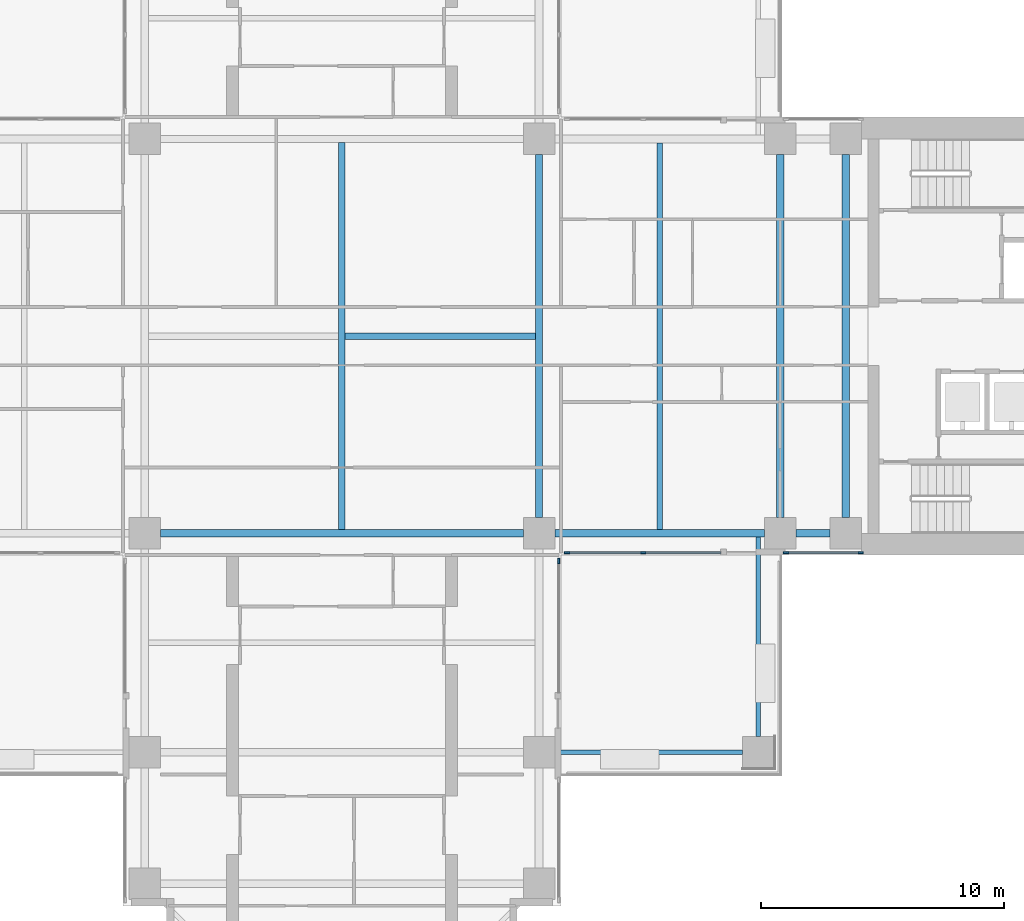
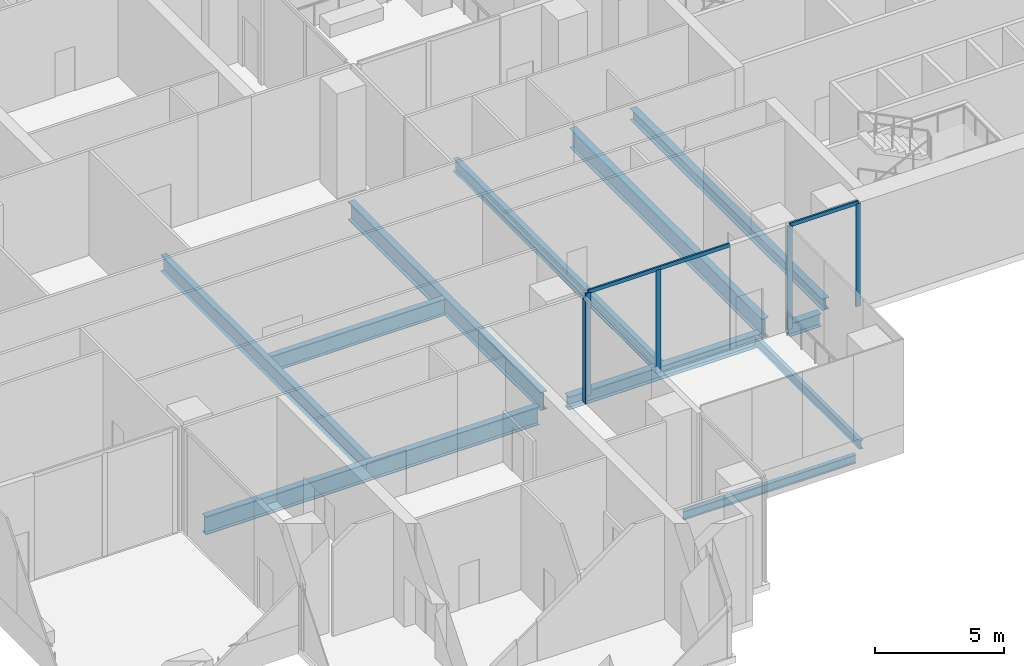
# One storey, part 3 of 17: 11 beams, 7 members, 3 elements without a shape of their own.
"""IFC4 building model written with IfcOpenShell, lengths in metres."""

import ifcopenshell
import ifcopenshell.guid

model = None  # the IFC model being written
_history = None  # IfcOwnerHistory: only IFC2X3 demands one
_inside = {}  # id of a spatial element -> (the spatial element, [elements in it])
_under = {}  # id of a project, library or spatial element -> (it, [spatial elements below it])
_declared = {}  # id of a project -> (the project, [libraries it declares])
_typed = {}  # id of a type object -> (the type object, [elements of that type])
_made_of = {}  # id of a material, layer set ... -> (it, [elements and type objects made of it])


def new_model(schema):
    """Start an empty IFC model of exactly this schema.

    Asked for "IFC4X3", IfcOpenShell would pick the latest addendum, in which some entities
    have other attributes; the version numbers below select the first issue.
    IFC2X3 requires an IfcOwnerHistory on every rooted entity: one is made here for all.
    """
    global model, _history
    if schema == "IFC4X3":
        model = ifcopenshell.file(schema_version=(4, 3, 0, 0))
    else:
        model = ifcopenshell.file(schema=schema)
    _inside.clear()
    _under.clear()
    _declared.clear()
    _typed.clear()
    _made_of.clear()
    _history = None
    if model.schema == "IFC2X3":
        org = make("IfcOrganization", Name="unknown")
        user = make(
            "IfcPersonAndOrganization",
            ThePerson=make("IfcPerson", FamilyName="unknown"),
            TheOrganization=org,
        )
        app = make(
            "IfcApplication",
            ApplicationDeveloper=org,
            Version="unknown",
            ApplicationFullName="unknown",
            ApplicationIdentifier="unknown",
        )
        _history = make(
            "IfcOwnerHistory",
            OwningUser=user,
            OwningApplication=app,
            ChangeAction="ADDED",
            CreationDate=0,
        )
    return model


def make(cls, **values):
    """One entity of the class cls with the attributes given. An attribute that is None is left unset."""
    return model.create_entity(
        cls, **{name: value for name, value in values.items() if value is not None}
    )


def rooted(cls, **values):
    """An entity with a GlobalId (a new one), such as an element, a storey or a relation."""
    return make(cls, GlobalId=ifcopenshell.guid.new(), OwnerHistory=_history, **values)


def si_unit(unit_type, name, prefix=None):
    """IfcSIUnit, for example si_unit("LENGTHUNIT", "METRE", prefix="MILLI")."""
    return make("IfcSIUnit", UnitType=unit_type, Prefix=prefix, Name=name)


def assignment(units):
    """IfcUnitAssignment: the units of a project."""
    return None if units is None else make("IfcUnitAssignment", Units=units)


def point(xyz):
    """IfcCartesianPoint."""
    return None if xyz is None else make("IfcCartesianPoint", Coordinates=xyz)


def direction(xyz):
    """IfcDirection."""
    return None if xyz is None else make("IfcDirection", DirectionRatios=xyz)


def frame(location, z_axis=None, x_axis=None):
    """IfcAxis2Placement3D, a coordinate frame: its origin and axes. An axis left out is left unset."""
    return make(
        "IfcAxis2Placement3D",
        Location=point(location),
        Axis=direction(z_axis),
        RefDirection=direction(x_axis),
    )


def frame_2d(location, x_axis=None):
    """IfcAxis2Placement2D, a coordinate frame in the plane: its origin and x axis."""
    return make(
        "IfcAxis2Placement2D", Location=point(location), RefDirection=direction(x_axis)
    )


def origin():
    """The frame at (0, 0, 0) with its axes left unset."""
    return frame((0.0, 0.0, 0.0))


def origin_2d():
    """The frame at (0, 0) in the plane with its x axis left unset."""
    return frame_2d((0.0, 0.0))


def place(relative_to, where):
    """IfcLocalPlacement: puts the frame where relative to a parent placement (None: the world)."""
    return make(
        "IfcLocalPlacement", PlacementRelTo=relative_to, RelativePlacement=where
    )


def context(
    kind, dimensions, precision=None, world=None, true_north=None, identifier=None
):
    """IfcGeometricRepresentationContext, for example the 3D "Model" context."""
    return make(
        "IfcGeometricRepresentationContext",
        ContextIdentifier=identifier,
        ContextType=kind,
        CoordinateSpaceDimension=dimensions,
        Precision=precision,
        WorldCoordinateSystem=world,
        TrueNorth=true_north,
    )


def subcontext(parent, identifier, kind, view, scale=None):
    """IfcGeometricRepresentationSubContext, for example "Body" below "Model"."""
    return make(
        "IfcGeometricRepresentationSubContext",
        ContextIdentifier=identifier,
        ContextType=kind,
        ParentContext=parent,
        TargetScale=scale,
        TargetView=view,
    )


def project(units=None, contexts=None):
    """IfcProject with its units and contexts."""
    return rooted(
        "IfcProject",
        Name="project",
        RepresentationContexts=contexts,
        UnitsInContext=assignment(units),
    )


def spatial(cls, under=None, at=None, **own):
    """A site, building, storey or space (cls), placed at a placement, below another one or the project."""
    s = rooted(cls, ObjectPlacement=at, **own)
    if under is not None:
        _under.setdefault(under.id(), (under, []))[1].append(s)
    return s


def profile(cls, at=None, kind="AREA", **sizes):
    """A parametric profile (cls). Its sizes go by their IFC names, for example OverallWidth=200.0."""
    return make(cls, ProfileType=kind, Position=at, **sizes)


def rectangle(**sizes):
    """IfcRectangleProfileDef."""
    return profile("IfcRectangleProfileDef", **sizes)


def i_section(**sizes):
    """IfcIShapeProfileDef."""
    return profile("IfcIShapeProfileDef", **sizes)


def extrude(swept, where, along, depth):
    """IfcExtrudedAreaSolid: the profile swept, set in the frame where, extruded along a direction by depth."""
    return make(
        "IfcExtrudedAreaSolid",
        SweptArea=swept,
        Position=where,
        ExtrudedDirection=direction(along),
        Depth=depth,
    )


def shape(context_of_items, identifier, shape_type, items):
    """IfcShapeRepresentation: the items that make up one representation, for example the "Body"."""
    return make(
        "IfcShapeRepresentation",
        ContextOfItems=context_of_items,
        RepresentationIdentifier=identifier,
        RepresentationType=shape_type,
        Items=items,
    )


def material(Name=None, Category=None):
    """IfcMaterial."""
    return make("IfcMaterial", Name=Name, Category=Category)


def material_profile(
    of_material, cross_section, Name=None, Category=None, Priority=None
):
    """IfcMaterialProfile: a cross section and its material."""
    return make(
        "IfcMaterialProfile",
        Name=Name,
        Material=of_material,
        Profile=cross_section,
        Priority=Priority,
        Category=Category,
    )


def profile_set(profiles, Name=None, composite=None):
    """IfcMaterialProfileSet."""
    return make(
        "IfcMaterialProfileSet",
        Name=Name,
        MaterialProfiles=profiles,
        CompositeProfile=composite,
    )


def made_of(thing, what):
    """Note that an element or type object is made of a material, layer set ...; save() writes the relation."""
    if what is not None:
        _made_of.setdefault(what.id(), (what, []))[1].append(thing)
    return thing


def type_object(cls, material=None, **own):
    """A type object (cls), such as IfcWallType, which elements share."""
    return made_of(rooted(cls, **own), material)


def element(
    cls,
    number,
    at=None,
    inside=None,
    cuts=None,
    type_object=None,
    material=None,
    context=None,
    identifier="Body",
    shape_type=None,
    held_by="IfcProductDefinitionShape",
    body=None,
    shapes=None,
    **own,
):
    """One element of the class cls, such as IfcWall. Its Tag is "e" and its number.

    at: its placement. inside: the storey or other place that contains it. cuts: it is an
    opening in that element (IfcRelVoidsElement). A single representation is given by context,
    identifier, shape_type and body (its items); several are given by shapes. held_by: the class
    of the entity that holds the representations. save() writes the other relations.
    """
    e = rooted(cls, Tag="e%d" % number, ObjectPlacement=at, **own)
    if body is not None:
        shapes = [shape(context, identifier, shape_type, body)]
    if shapes is not None:
        e.Representation = make(held_by, Representations=shapes)
    if inside is not None:
        _inside.setdefault(inside.id(), (inside, []))[1].append(e)
    if cuts is not None:
        rooted(
            "IfcRelVoidsElement", RelatingBuildingElement=cuts, RelatedOpeningElement=e
        )
    if type_object is not None:
        _typed.setdefault(type_object.id(), (type_object, []))[1].append(e)
    return made_of(e, material)


def aggregate(whole, parts):
    """IfcRelAggregates: a whole, such as a stair, and the parts it consists of."""
    return rooted("IfcRelAggregates", RelatingObject=whole, RelatedObjects=parts)


def save(model, path):
    """Write the relations noted so far, then the file.

    IfcRelAggregates (storeys below a building ...), IfcRelContainedInSpatialStructure (elements
    in a storey), IfcRelDefinesByType, IfcRelAssociatesMaterial and IfcRelDeclares: one each for
    every whole, place, type object, material and project.
    """
    for whole, parts in _under.values():
        aggregate(whole, parts)
    for where, things in _inside.values():
        rooted(
            "IfcRelContainedInSpatialStructure",
            RelatedElements=things,
            RelatingStructure=where,
        )
    for kind, things in _typed.values():
        rooted("IfcRelDefinesByType", RelatedObjects=things, RelatingType=kind)
    for what, things in _made_of.values():
        rooted("IfcRelAssociatesMaterial", RelatedObjects=things, RelatingMaterial=what)
    for by, libraries in _declared.values():
        rooted("IfcRelDeclares", RelatingContext=by, RelatedDefinitions=libraries)
    model.write(path)


model = new_model("IFC4")

# Units and contexts
model_context = context("Model", 3, precision=1e-05, world=origin(), true_north=direction((0.0, 1.0)))
body_context = subcontext(model_context, "Body", "Model", "MODEL_VIEW")
ifc_project = project(units=[si_unit("LENGTHUNIT", "METRE"), si_unit("AREAUNIT", "SQUARE_METRE"), si_unit("VOLUMEUNIT", "CUBIC_METRE"), si_unit("PLANEANGLEUNIT", "RADIAN"), si_unit("MASSUNIT", "GRAM", prefix="KILO")], contexts=[model_context])

# Site, building, storey
site_placement = place(None, origin())
site = spatial("IfcSite", under=ifc_project, at=site_placement, CompositionType="ELEMENT")
building_placement = place(site_placement, origin())
building = spatial("IfcBuilding", under=site, at=building_placement, Name="Perihelion Cross Residences", CompositionType="ELEMENT")
storey_placement = place(building_placement, frame((0.0, 0.0, 92.5)))
storey = spatial("IfcBuildingStorey", under=building, at=storey_placement, Name="L21", CompositionType="ELEMENT", Elevation=92.5)

# Curtain wall, member
ifc_material_1 = material(Name="Bronze anodised aluminium, tinted glazing", Category="aluminium")
curtain_wall_type = type_object("IfcCurtainWallType", Name="CW3", PredefinedType="NOTDEFINED", material=ifc_material_1)
curtain_wall_1_placement = place(storey_placement, origin())
curtain_wall_1 = element("IfcCurtainWall", 1, at=curtain_wall_1_placement, inside=storey, type_object=curtain_wall_type, Name="Curtain wall CW3 L21 south side east bay 2", PredefinedType="NOTDEFINED")
ifc_material_2 = material(Name="Bronze anodised aluminium", Category="aluminium")
ifc_material_profile_1 = material_profile(ifc_material_2, rectangle(XDim=0.080078125, YDim=0.219970703125, at=origin_2d()), Name="CW3 mullion")
ifc_profile_set_1 = profile_set([ifc_material_profile_1], Name="Bronze anodised aluminium")
member_type_1 = type_object("IfcMemberType", Name="CW3 mullion", PredefinedType="MULLION", material=ifc_profile_set_1)
member_1_placement = place(storey_placement, frame((8.89990234375, -9.239990234375, 0.0), z_axis=(0.0, 0.0, 1.0), x_axis=(-1.0, 0.0, 0.0)))
member_1 = element("IfcMember", 2, at=member_1_placement, type_object=member_type_1, Name="CW3 mullion 2", PredefinedType="MULLION", context=body_context, shape_type="SweptSolid", body=[
    extrude(rectangle(XDim=0.080078125, YDim=0.219970703125, at=origin_2d()), origin(), (0.0, 0.0, 1.0), 4.8701171875),
])
aggregate(curtain_wall_1, [member_1])

# Curtain wall, members
curtain_wall_2_placement = place(storey_placement, origin())
curtain_wall_2 = element("IfcCurtainWall", 3, at=curtain_wall_2_placement, inside=storey, type_object=curtain_wall_type, Name="Curtain wall CW3 L21 east side south bay 1", PredefinedType="NOTDEFINED")
member_2_placement = place(storey_placement, frame((9.239990234375, -8.89990234375, 0.0), z_axis=(0.0, 0.0, 1.0), x_axis=(0.0, 1.0, 0.0)))
member_2 = element("IfcMember", 4, at=member_2_placement, type_object=member_type_1, Name="CW3 mullion 1", PredefinedType="MULLION", context=body_context, shape_type="SweptSolid", body=[
    extrude(rectangle(XDim=0.080078125, YDim=0.219970703125, at=origin_2d()), origin(), (0.0, 0.0, 1.0), 4.8701171875),
])
member_3_placement = place(storey_placement, frame((12.375, -8.89990234375, 0.0), z_axis=(0.0, 0.0, 1.0), x_axis=(0.0, 1.0, 0.0)))
member_3 = element("IfcMember", 5, at=member_3_placement, type_object=member_type_1, Name="CW3 mullion 2", PredefinedType="MULLION", context=body_context, shape_type="SweptSolid", body=[
    extrude(rectangle(XDim=0.080078125, YDim=0.219970703125, at=origin_2d()), origin(), (0.0, 0.0, 1.0), 4.8701171875),
])

curtain_wall_3_placement = place(storey_placement, origin())
curtain_wall_3 = element("IfcCurtainWall", 6, at=curtain_wall_3_placement, inside=storey, type_object=curtain_wall_type, Name="Curtain wall CW3 L21 east side south bay 2", PredefinedType="NOTDEFINED")
member_4_placement = place(storey_placement, frame((18.239990234375, -8.89990234375, 0.0), z_axis=(0.0, 0.0, 1.0), x_axis=(0.0, 1.0, 0.0)))
member_4 = element("IfcMember", 7, at=member_4_placement, type_object=member_type_1, Name="CW3 mullion 1", PredefinedType="MULLION", context=body_context, shape_type="SweptSolid", body=[
    extrude(rectangle(XDim=0.080078125, YDim=0.219970703125, at=origin_2d()), origin(), (0.0, 0.0, 1.0), 4.8701171875),
])
member_5_placement = place(storey_placement, frame((21.31005859375, -8.89990234375, 0.0), z_axis=(0.0, 0.0, 1.0), x_axis=(0.0, 1.0, 0.0)))
member_5 = element("IfcMember", 8, at=member_5_placement, type_object=member_type_1, Name="CW3 mullion 2", PredefinedType="MULLION", context=body_context, shape_type="SweptSolid", body=[
    extrude(rectangle(XDim=0.080078125, YDim=0.219970703125, at=origin_2d()), origin(), (0.0, 0.0, 1.0), 4.8701171875),
])

# Member
ifc_material_3 = material(Name="Bronze anodised aluminium", Category="aluminium")
ifc_material_profile_2 = material_profile(ifc_material_3, rectangle(XDim=0.080078125, YDim=0.179931640625, at=origin_2d()), Name="CW3 transom")
ifc_profile_set_2 = profile_set([ifc_material_profile_2], Name="Bronze anodised aluminium")
member_type_2 = type_object("IfcMemberType", Name="CW3 transom", PredefinedType="USERDEFINED", material=ifc_profile_set_2)
member_6_placement = place(storey_placement, frame((9.239990234375, -8.89990234375, 4.909912109375), z_axis=(1.0, 0.0, 0.0), x_axis=(0.0, 1.0, 0.0)))
member_6 = element("IfcMember", 9, at=member_6_placement, type_object=member_type_2, Name="CW3 head transom", ObjectType="TRANSOM", PredefinedType="USERDEFINED", context=body_context, shape_type="SweptSolid", body=[
    extrude(rectangle(XDim=0.080078125, YDim=0.179931640625, at=origin_2d()), origin(), (0.0, 0.0, 1.0), 6.31005859375),
])

aggregate(curtain_wall_2, [member_2, member_3, member_6])

member_7_placement = place(storey_placement, frame((18.239990234375, -8.89990234375, 4.909912109375), z_axis=(1.0, 0.0, 0.0), x_axis=(0.0, 1.0, 0.0)))
member_7 = element("IfcMember", 10, at=member_7_placement, type_object=member_type_2, Name="CW3 head transom", ObjectType="TRANSOM", PredefinedType="USERDEFINED", context=body_context, shape_type="SweptSolid", body=[
    extrude(rectangle(XDim=0.080078125, YDim=0.179931640625, at=origin_2d()), origin(), (0.0, 0.0, 1.0), 3.070068359375),
])

aggregate(curtain_wall_3, [member_4, member_5, member_7])

# Beams
ifc_material_4 = material(Name="Steel S355", Category="steel")
ifc_material_profile_3 = material_profile(ifc_material_4, i_section(OverallWidth=0.177978515625, OverallDepth=0.406005859375, WebThickness=0.0078125, FlangeThickness=0.0126953125, at=origin_2d()), Name="W410x60")
ifc_profile_set_3 = profile_set([ifc_material_profile_3], Name="Steel S355")
beam_type_1 = type_object("IfcBeamType", Name="Core edge beam W410x60", PredefinedType="BEAM", material=ifc_profile_set_3)
beam_1_placement = place(storey_placement, frame((17.10009765625, -8.262451171875, -0.5029296875), z_axis=(0.0, -1.0, 0.0), x_axis=(1.0, 0.0, 0.0)))
element("IfcBeam", 11, at=beam_1_placement, inside=storey, type_object=beam_type_1, Name="Core edge beam TB2 L21 corner no. 5", PredefinedType="BEAM", context=body_context, shape_type="SweptSolid", body=[
    extrude(i_section(OverallWidth=0.177978515625, OverallDepth=0.406005859375, WebThickness=0.0078125, FlangeThickness=0.0126953125, at=origin_2d()), origin(), (0.0, 0.0, 1.0), 8.1875),
])
beam_2_placement = place(storey_placement, frame((8.75, -17.10009765625, -0.5029296875), z_axis=(1.0, 0.0, 0.0), x_axis=(0.0, 1.0, 0.0)))
element("IfcBeam", 12, at=beam_2_placement, inside=storey, type_object=beam_type_1, Name="Core edge beam TB2 L21 corner no. 6", PredefinedType="BEAM", context=body_context, shape_type="SweptSolid", body=[
    extrude(i_section(OverallWidth=0.177978515625, OverallDepth=0.406005859375, WebThickness=0.0078125, FlangeThickness=0.0126953125, at=origin_2d()), origin(), (0.0, 0.0, 1.0), 7.699951171875),
])
ifc_material_5 = material(Name="Steel S355", Category="steel")
ifc_material_profile_4 = material_profile(ifc_material_5, i_section(OverallWidth=0.31201171875, OverallDepth=0.5439453125, WebThickness=0.0126953125, FlangeThickness=0.020263671875, at=origin_2d()), Name="W530x150")
ifc_profile_set_4 = profile_set([ifc_material_profile_4], Name="Steel S355")
beam_type_2 = type_object("IfcBeamType", Name="Core edge beam W530x150", PredefinedType="BEAM", material=ifc_profile_set_4)
beam_3_placement = place(storey_placement, frame((20.699951171875, -7.449951171875, -0.572021484375), z_axis=(0.0, 1.0, 0.0), x_axis=(-1.0, 0.0, 0.0)))
element("IfcBeam", 13, at=beam_3_placement, inside=storey, type_object=beam_type_2, Name="Core edge beam TB4 L21 no. 2", PredefinedType="BEAM", context=body_context, shape_type="SweptSolid", body=[
    extrude(i_section(OverallWidth=0.31201171875, OverallDepth=0.5439453125, WebThickness=0.0126953125, FlangeThickness=0.020263671875, at=origin_2d()), origin(), (0.0, 0.0, 1.0), 14.89990234375),
])
ifc_material_6 = material(Name="Steel S355", Category="steel")
ifc_material_profile_5 = material_profile(ifc_material_6, i_section(OverallWidth=0.324951171875, OverallDepth=0.616943359375, WebThickness=0.013916015625, FlangeThickness=0.021484375, at=origin_2d()), Name="W610x174")
ifc_profile_set_5 = profile_set([ifc_material_profile_5], Name="Steel S355")
beam_type_3 = type_object("IfcBeamType", Name="Edge beam W610x174", PredefinedType="SPANDREL", material=ifc_profile_set_5)
beam_4_placement = place(storey_placement, frame((8.75, -8.10009765625, -0.6083984375), z_axis=(1.0, 0.0, 0.0), x_axis=(0.0, 1.0, 0.0)))
element("IfcBeam", 14, at=beam_4_placement, inside=storey, type_object=beam_type_3, Name="Edge beam SB2 L21 no. 18", PredefinedType="SPANDREL", context=body_context, shape_type="SweptSolid", body=[
    extrude(i_section(OverallWidth=0.324951171875, OverallDepth=0.616943359375, WebThickness=0.013916015625, FlangeThickness=0.021484375, at=origin_2d()), origin(), (0.0, 0.0, 1.0), 8.60009765625),
])
beam_5_placement = place(storey_placement, frame((18.64990234375, -8.10009765625, -0.6083984375), z_axis=(1.0, 0.0, 0.0), x_axis=(0.0, 1.0, 0.0)))
element("IfcBeam", 15, at=beam_5_placement, inside=storey, type_object=beam_type_3, Name="Edge beam SB2 L21 no. 12", PredefinedType="SPANDREL", context=body_context, shape_type="SweptSolid", body=[
    extrude(i_section(OverallWidth=0.324951171875, OverallDepth=0.616943359375, WebThickness=0.013916015625, FlangeThickness=0.021484375, at=origin_2d()), origin(), (0.0, 0.0, 1.0), 1.400146484375),
])
ifc_material_7 = material(Name="Steel S355", Category="steel")
ifc_material_profile_6 = material_profile(ifc_material_7, i_section(OverallWidth=0.304931640625, OverallDepth=0.904052734375, WebThickness=0.01513671875, FlangeThickness=0.02001953125, at=origin_2d()), Name="W920x201")
ifc_profile_set_6 = profile_set([ifc_material_profile_6], Name="Steel S355")
beam_type_4 = type_object("IfcBeamType", Name="Floor girder W920x201", PredefinedType="BEAM", material=ifc_profile_set_6)
beam_6_placement = place(storey_placement, frame((18.0, -7.449951171875, -0.751953125), z_axis=(0.0, 1.0, 0.0), x_axis=(-1.0, 0.0, 0.0)))
element("IfcBeam", 16, at=beam_6_placement, inside=storey, type_object=beam_type_4, Name="Girder G2 L21 no. 2", PredefinedType="BEAM", context=body_context, shape_type="SweptSolid", body=[
    extrude(i_section(OverallWidth=0.304931640625, OverallDepth=0.904052734375, WebThickness=0.01513671875, FlangeThickness=0.02001953125, at=origin_2d()), origin(), (0.0, 0.0, 1.0), 14.89990234375),
])
ifc_material_8 = material(Name="Steel S355", Category="steel")
ifc_material_profile_7 = material_profile(ifc_material_8, i_section(OverallWidth=0.22900390625, OverallDepth=0.612060546875, WebThickness=0.011962890625, FlangeThickness=0.01953125, at=origin_2d()), Name="W610x125")
ifc_profile_set_7 = profile_set([ifc_material_profile_7], Name="Steel S355")
beam_type_5 = type_object("IfcBeamType", Name="Floor joist W610x125", PredefinedType="JOIST", material=ifc_profile_set_7)
beam_7_placement = place(storey_placement, frame((13.050048828125, -7.9375, -0.60595703125), z_axis=(0.0, 1.0, 0.0), x_axis=(-1.0, 0.0, 0.0)))
element("IfcBeam", 17, at=beam_7_placement, inside=storey, type_object=beam_type_5, Name="Joist J3 L21 no. 2", PredefinedType="JOIST", context=body_context, shape_type="SweptSolid", body=[
    extrude(i_section(OverallWidth=0.22900390625, OverallDepth=0.612060546875, WebThickness=0.011962890625, FlangeThickness=0.01953125, at=origin_2d()), origin(), (0.0, 0.0, 1.0), 15.875),
])
ifc_material_9 = material(Name="Steel S355", Category="steel")
ifc_material_profile_8 = material_profile(ifc_material_9, i_section(OverallWidth=0.26708984375, OverallDepth=0.77001953125, WebThickness=0.015625, FlangeThickness=0.025390625, at=origin_2d()), Name="W760x196")
ifc_profile_set_8 = profile_set([ifc_material_profile_8], Name="Steel S355")
beam_type_6 = type_object("IfcBeamType", Name="Hub cross beam W760x196", PredefinedType="BEAM", material=ifc_profile_set_8)
beam_8_placement = place(storey_placement, frame((0.0, -7.9541015625, -0.68505859375), z_axis=(0.0, 1.0, 0.0), x_axis=(-1.0, 0.0, 0.0)))
element("IfcBeam", 18, at=beam_8_placement, inside=storey, type_object=beam_type_6, Name="Hub cross beam XB2 L21 no. 1", PredefinedType="BEAM", context=body_context, shape_type="SweptSolid", body=[
    extrude(i_section(OverallWidth=0.26708984375, OverallDepth=0.77001953125, WebThickness=0.015625, FlangeThickness=0.025390625, at=origin_2d()), origin(), (0.0, 0.0, 1.0), 15.908203125),
])
beam_9_placement = place(storey_placement, frame((0.133544921875, 0.0, -0.68505859375), z_axis=(1.0, 0.0, 0.0), x_axis=(0.0, 1.0, 0.0)))
element("IfcBeam", 19, at=beam_9_placement, inside=storey, type_object=beam_type_6, Name="Hub cross beam XB2 L21 2 no. 1", PredefinedType="BEAM", context=body_context, shape_type="SweptSolid", body=[
    extrude(i_section(OverallWidth=0.26708984375, OverallDepth=0.77001953125, WebThickness=0.015625, FlangeThickness=0.025390625, at=origin_2d()), origin(), (0.0, 0.0, 1.0), 7.820556640625),
])
ifc_material_10 = material(Name="Steel S355", Category="steel")
ifc_material_profile_9 = material_profile(ifc_material_10, i_section(OverallWidth=0.2919921875, OverallDepth=0.85888671875, WebThickness=0.01708984375, FlangeThickness=0.031005859375, at=origin_2d()), Name="W840x251")
ifc_profile_set_9 = profile_set([ifc_material_profile_9], Name="Steel S355")
beam_type_7 = type_object("IfcBeamType", Name="Hub ring girder W840x251", PredefinedType="BEAM", material=ifc_profile_set_9)
for number, where, z_axis, x_axis, name in (
    (20, (-7.449951171875, -8.10009765625, -0.7294921875), (1.0, 0.0, 0.0), (0.0, 1.0, 0.0), "Hub ring girder RG2 L21 no. 1"),
    (21, (8.10009765625, -7.449951171875, -0.7294921875), (0.0, 1.0, 0.0), (-1.0, 0.0, 0.0), "Hub ring girder RG2 L21 no. 3"),
):
    element("IfcBeam", number, at=place(storey_placement, frame(where, z_axis=z_axis, x_axis=x_axis)), inside=storey, type_object=beam_type_7, Name=name, PredefinedType="BEAM", context=body_context, shape_type="SweptSolid", body=[
        extrude(i_section(OverallWidth=0.2919921875, OverallDepth=0.85888671875, WebThickness=0.01708984375, FlangeThickness=0.031005859375, at=origin_2d()), origin(), (0.0, 0.0, 1.0), 14.89990234375),
    ])

save(model, "model.ifc")
